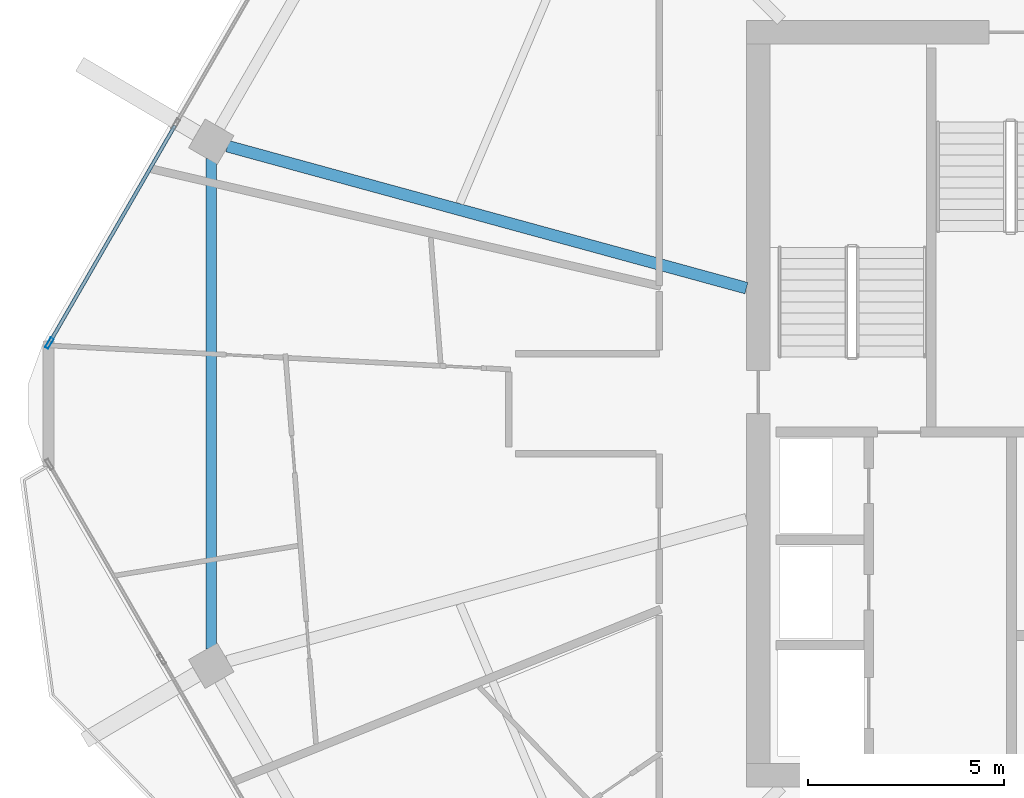
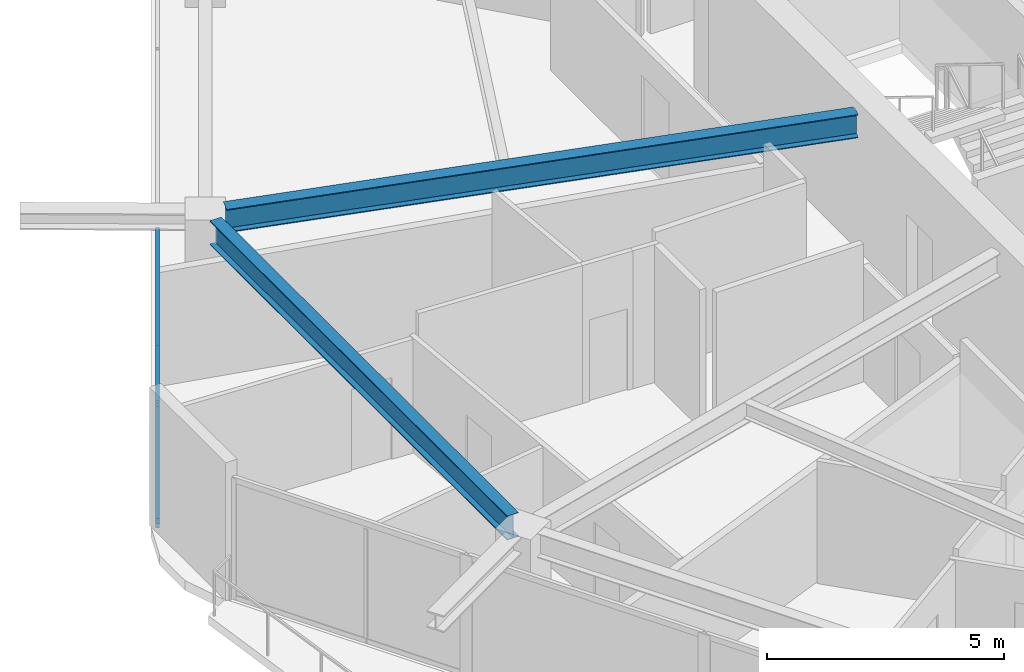
# One storey, part 6 of 26: 3 members, 2 beams, 1 element without a shape of its own.
"""IFC4 building model written with IfcOpenShell, lengths in metres."""

import ifcopenshell
import ifcopenshell.guid

model = None  # the IFC model being written
_history = None  # IfcOwnerHistory: only IFC2X3 demands one
_inside = {}  # id of a spatial element -> (the spatial element, [elements in it])
_under = {}  # id of a project, library or spatial element -> (it, [spatial elements below it])
_declared = {}  # id of a project -> (the project, [libraries it declares])
_typed = {}  # id of a type object -> (the type object, [elements of that type])
_made_of = {}  # id of a material, layer set ... -> (it, [elements and type objects made of it])


def new_model(schema):
    """Start an empty IFC model of exactly this schema.

    Asked for "IFC4X3", IfcOpenShell would pick the latest addendum, in which some entities
    have other attributes; the version numbers below select the first issue.
    IFC2X3 requires an IfcOwnerHistory on every rooted entity: one is made here for all.
    """
    global model, _history
    if schema == "IFC4X3":
        model = ifcopenshell.file(schema_version=(4, 3, 0, 0))
    else:
        model = ifcopenshell.file(schema=schema)
    _inside.clear()
    _under.clear()
    _declared.clear()
    _typed.clear()
    _made_of.clear()
    _history = None
    if model.schema == "IFC2X3":
        org = make("IfcOrganization", Name="unknown")
        user = make(
            "IfcPersonAndOrganization",
            ThePerson=make("IfcPerson", FamilyName="unknown"),
            TheOrganization=org,
        )
        app = make(
            "IfcApplication",
            ApplicationDeveloper=org,
            Version="unknown",
            ApplicationFullName="unknown",
            ApplicationIdentifier="unknown",
        )
        _history = make(
            "IfcOwnerHistory",
            OwningUser=user,
            OwningApplication=app,
            ChangeAction="ADDED",
            CreationDate=0,
        )
    return model


def make(cls, **values):
    """One entity of the class cls with the attributes given. An attribute that is None is left unset."""
    return model.create_entity(
        cls, **{name: value for name, value in values.items() if value is not None}
    )


def rooted(cls, **values):
    """An entity with a GlobalId (a new one), such as an element, a storey or a relation."""
    return make(cls, GlobalId=ifcopenshell.guid.new(), OwnerHistory=_history, **values)


def si_unit(unit_type, name, prefix=None):
    """IfcSIUnit, for example si_unit("LENGTHUNIT", "METRE", prefix="MILLI")."""
    return make("IfcSIUnit", UnitType=unit_type, Prefix=prefix, Name=name)


def assignment(units):
    """IfcUnitAssignment: the units of a project."""
    return None if units is None else make("IfcUnitAssignment", Units=units)


def point(xyz):
    """IfcCartesianPoint."""
    return None if xyz is None else make("IfcCartesianPoint", Coordinates=xyz)


def direction(xyz):
    """IfcDirection."""
    return None if xyz is None else make("IfcDirection", DirectionRatios=xyz)


def frame(location, z_axis=None, x_axis=None):
    """IfcAxis2Placement3D, a coordinate frame: its origin and axes. An axis left out is left unset."""
    return make(
        "IfcAxis2Placement3D",
        Location=point(location),
        Axis=direction(z_axis),
        RefDirection=direction(x_axis),
    )


def frame_2d(location, x_axis=None):
    """IfcAxis2Placement2D, a coordinate frame in the plane: its origin and x axis."""
    return make(
        "IfcAxis2Placement2D", Location=point(location), RefDirection=direction(x_axis)
    )


def origin():
    """The frame at (0, 0, 0) with its axes left unset."""
    return frame((0.0, 0.0, 0.0))


def origin_2d():
    """The frame at (0, 0) in the plane with its x axis left unset."""
    return frame_2d((0.0, 0.0))


def place(relative_to, where):
    """IfcLocalPlacement: puts the frame where relative to a parent placement (None: the world)."""
    return make(
        "IfcLocalPlacement", PlacementRelTo=relative_to, RelativePlacement=where
    )


def context(
    kind, dimensions, precision=None, world=None, true_north=None, identifier=None
):
    """IfcGeometricRepresentationContext, for example the 3D "Model" context."""
    return make(
        "IfcGeometricRepresentationContext",
        ContextIdentifier=identifier,
        ContextType=kind,
        CoordinateSpaceDimension=dimensions,
        Precision=precision,
        WorldCoordinateSystem=world,
        TrueNorth=true_north,
    )


def subcontext(parent, identifier, kind, view, scale=None):
    """IfcGeometricRepresentationSubContext, for example "Body" below "Model"."""
    return make(
        "IfcGeometricRepresentationSubContext",
        ContextIdentifier=identifier,
        ContextType=kind,
        ParentContext=parent,
        TargetScale=scale,
        TargetView=view,
    )


def project(units=None, contexts=None):
    """IfcProject with its units and contexts."""
    return rooted(
        "IfcProject",
        Name="project",
        RepresentationContexts=contexts,
        UnitsInContext=assignment(units),
    )


def spatial(cls, under=None, at=None, **own):
    """A site, building, storey or space (cls), placed at a placement, below another one or the project."""
    s = rooted(cls, ObjectPlacement=at, **own)
    if under is not None:
        _under.setdefault(under.id(), (under, []))[1].append(s)
    return s


def profile(cls, at=None, kind="AREA", **sizes):
    """A parametric profile (cls). Its sizes go by their IFC names, for example OverallWidth=200.0."""
    return make(cls, ProfileType=kind, Position=at, **sizes)


def hollow_rectangle(**sizes):
    """IfcRectangleHollowProfileDef."""
    return profile("IfcRectangleHollowProfileDef", **sizes)


def i_section(**sizes):
    """IfcIShapeProfileDef."""
    return profile("IfcIShapeProfileDef", **sizes)


def extrude(swept, where, along, depth):
    """IfcExtrudedAreaSolid: the profile swept, set in the frame where, extruded along a direction by depth."""
    return make(
        "IfcExtrudedAreaSolid",
        SweptArea=swept,
        Position=where,
        ExtrudedDirection=direction(along),
        Depth=depth,
    )


def shape(context_of_items, identifier, shape_type, items):
    """IfcShapeRepresentation: the items that make up one representation, for example the "Body"."""
    return make(
        "IfcShapeRepresentation",
        ContextOfItems=context_of_items,
        RepresentationIdentifier=identifier,
        RepresentationType=shape_type,
        Items=items,
    )


def material(Name=None, Category=None):
    """IfcMaterial."""
    return make("IfcMaterial", Name=Name, Category=Category)


def material_profile(
    of_material, cross_section, Name=None, Category=None, Priority=None
):
    """IfcMaterialProfile: a cross section and its material."""
    return make(
        "IfcMaterialProfile",
        Name=Name,
        Material=of_material,
        Profile=cross_section,
        Priority=Priority,
        Category=Category,
    )


def profile_set(profiles, Name=None, composite=None):
    """IfcMaterialProfileSet."""
    return make(
        "IfcMaterialProfileSet",
        Name=Name,
        MaterialProfiles=profiles,
        CompositeProfile=composite,
    )


def made_of(thing, what):
    """Note that an element or type object is made of a material, layer set ...; save() writes the relation."""
    if what is not None:
        _made_of.setdefault(what.id(), (what, []))[1].append(thing)
    return thing


def type_object(cls, material=None, **own):
    """A type object (cls), such as IfcWallType, which elements share."""
    return made_of(rooted(cls, **own), material)


def element(
    cls,
    number,
    at=None,
    inside=None,
    cuts=None,
    type_object=None,
    material=None,
    context=None,
    identifier="Body",
    shape_type=None,
    held_by="IfcProductDefinitionShape",
    body=None,
    shapes=None,
    **own,
):
    """One element of the class cls, such as IfcWall. Its Tag is "e" and its number.

    at: its placement. inside: the storey or other place that contains it. cuts: it is an
    opening in that element (IfcRelVoidsElement). A single representation is given by context,
    identifier, shape_type and body (its items); several are given by shapes. held_by: the class
    of the entity that holds the representations. save() writes the other relations.
    """
    e = rooted(cls, Tag="e%d" % number, ObjectPlacement=at, **own)
    if body is not None:
        shapes = [shape(context, identifier, shape_type, body)]
    if shapes is not None:
        e.Representation = make(held_by, Representations=shapes)
    if inside is not None:
        _inside.setdefault(inside.id(), (inside, []))[1].append(e)
    if cuts is not None:
        rooted(
            "IfcRelVoidsElement", RelatingBuildingElement=cuts, RelatedOpeningElement=e
        )
    if type_object is not None:
        _typed.setdefault(type_object.id(), (type_object, []))[1].append(e)
    return made_of(e, material)


def aggregate(whole, parts):
    """IfcRelAggregates: a whole, such as a stair, and the parts it consists of."""
    return rooted("IfcRelAggregates", RelatingObject=whole, RelatedObjects=parts)


def save(model, path):
    """Write the relations noted so far, then the file.

    IfcRelAggregates (storeys below a building ...), IfcRelContainedInSpatialStructure (elements
    in a storey), IfcRelDefinesByType, IfcRelAssociatesMaterial and IfcRelDeclares: one each for
    every whole, place, type object, material and project.
    """
    for whole, parts in _under.values():
        aggregate(whole, parts)
    for where, things in _inside.values():
        rooted(
            "IfcRelContainedInSpatialStructure",
            RelatedElements=things,
            RelatingStructure=where,
        )
    for kind, things in _typed.values():
        rooted("IfcRelDefinesByType", RelatedObjects=things, RelatingType=kind)
    for what, things in _made_of.values():
        rooted("IfcRelAssociatesMaterial", RelatedObjects=things, RelatingMaterial=what)
    for by, libraries in _declared.values():
        rooted("IfcRelDeclares", RelatingContext=by, RelatedDefinitions=libraries)
    model.write(path)


model = new_model("IFC4")

# Units and contexts
model_context = context("Model", 3, precision=1e-05, world=origin(), true_north=direction((0.0, 1.0)))
body_context = subcontext(model_context, "Body", "Model", "MODEL_VIEW")
ifc_project = project(units=[si_unit("LENGTHUNIT", "METRE"), si_unit("AREAUNIT", "SQUARE_METRE"), si_unit("VOLUMEUNIT", "CUBIC_METRE"), si_unit("PLANEANGLEUNIT", "RADIAN"), si_unit("MASSUNIT", "GRAM", prefix="KILO")], contexts=[model_context])

# Site, building, storey
site_placement = place(None, origin())
site = spatial("IfcSite", under=ifc_project, at=site_placement, CompositionType="ELEMENT")
building_placement = place(site_placement, origin())
building = spatial("IfcBuilding", under=site, at=building_placement, Name="Zuhravey Tower", CompositionType="ELEMENT")
storey_placement = place(building_placement, frame((0.0, 0.0, 295.800048828125)))
storey = spatial("IfcBuildingStorey", under=building, at=storey_placement, Name="L75", CompositionType="ELEMENT", Elevation=295.800048828125)

# Curtain wall, members
ifc_material_1 = material(Name="Thermally broken anodised aluminium", Category="aluminium")
curtain_wall_type = type_object("IfcCurtainWallType", Name="Zone 3-4 High-Rise Curtain Wall CW4", PredefinedType="NOTDEFINED", material=ifc_material_1)
curtain_wall_placement = place(storey_placement, origin())
curtain_wall = element("IfcCurtainWall", 1, at=curtain_wall_placement, inside=storey, type_object=curtain_wall_type, Name="L75 CW4 CW-L75-F3-1", PredefinedType="NOTDEFINED")
ifc_material_2 = material(Name="Anodised aluminium", Category="aluminium")
ifc_material_profile_1 = material_profile(ifc_material_2, hollow_rectangle(XDim=0.090087890625, YDim=0.284912109375, WallThickness=0.0048828125, at=origin_2d()), Name="ALU-RHS-90x285x5")
ifc_profile_set_1 = profile_set([ifc_material_profile_1], Name="Anodised aluminium")
member_type_1 = type_object("IfcMemberType", Name="Curtain-Wall Mullion 90x180", PredefinedType="MULLION", material=ifc_profile_set_1)
member_1_placement = place(storey_placement, frame((7.37744140625, 33.551513671875, 0.0), z_axis=(0.0, 0.0, 1.0), x_axis=(-0.866024851021, 0.500000957414, 0.0)))
member_1 = element("IfcMember", 2, at=member_1_placement, type_object=member_type_1, Name="CW4 mullion 1", PredefinedType="MULLION", context=body_context, shape_type="SweptSolid", body=[
    extrude(hollow_rectangle(XDim=0.090087890625, YDim=0.284912109375, WallThickness=0.0048828125, at=origin_2d()), origin(), (0.0, 0.0, 1.0), 3.1220703125),
])
ifc_material_profile_2 = material_profile(ifc_material_2, hollow_rectangle(XDim=0.090087890625, YDim=0.14990234375, WallThickness=0.0048828125, at=origin_2d()), Name="ALU-RHS-90x150x5")
ifc_profile_set_2 = profile_set([ifc_material_profile_2], Name="Anodised aluminium")
member_type_2 = type_object("IfcMemberType", Name="Curtain-Wall Transom 90x150", PredefinedType="USERDEFINED", material=ifc_profile_set_2)
member_2_placement = place(storey_placement, frame((7.39990234375, 33.59033203125, 0.044921875), z_axis=(0.500008810174, 0.866020317169, 0.0), x_axis=(-0.866020317169, 0.500008810174, 0.0)))
member_2 = element("IfcMember", 3, at=member_2_placement, type_object=member_type_2, Name="CW4 transom 1.1", ObjectType="TRANSOM", PredefinedType="USERDEFINED", context=body_context, shape_type="SweptSolid", body=[
    extrude(hollow_rectangle(XDim=0.090087890625, YDim=0.14990234375, WallThickness=0.0048828125, at=origin_2d()), origin(), (0.0, 0.0, 1.0), 6.37158203125),
])
member_3_placement = place(storey_placement, frame((7.39990234375, 33.59033203125, 3.076904296875), z_axis=(0.500008810174, 0.866020317169, 0.0), x_axis=(-0.866020317169, 0.500008810174, 0.0)))
member_3 = element("IfcMember", 4, at=member_3_placement, type_object=member_type_2, Name="CW4 transom 1.2", ObjectType="TRANSOM", PredefinedType="USERDEFINED", context=body_context, shape_type="SweptSolid", body=[
    extrude(hollow_rectangle(XDim=0.090087890625, YDim=0.14990234375, WallThickness=0.0048828125, at=origin_2d()), origin(), (0.0, 0.0, 1.0), 6.37158203125),
])
aggregate(curtain_wall, [member_1, member_2, member_3])

# Beams
ifc_material_3 = material(Name="Steel SM355", Category="steel")
ifc_material_profile_3 = material_profile(ifc_material_3, i_section(OverallWidth=0.280029296875, OverallDepth=0.6201171875, WebThickness=0.011962890625, FlangeThickness=0.02001953125, at=origin_2d()), Name="H-620x280x12x20")
ifc_profile_set_3 = profile_set([ifc_material_profile_3], Name="Steel SM355")
beam_type_1 = type_object("IfcBeamType", Name="Perimeter Ring Beam H620x280", PredefinedType="BEAM", material=ifc_profile_set_3)
beam_1_placement = place(storey_placement, frame((11.515380859375, 38.27099609375, 3.239990234375), z_axis=(0.0, -1.0, 0.0), x_axis=(1.0, 0.0, 0.0)))
element("IfcBeam", 5, at=beam_1_placement, inside=storey, type_object=beam_type_1, Name="L75 PB3 BM-L75-PB-06", PredefinedType="BEAM", context=body_context, shape_type="SweptSolid", body=[
    extrude(i_section(OverallWidth=0.280029296875, OverallDepth=0.6201171875, WebThickness=0.011962890625, FlangeThickness=0.02001953125, at=origin_2d()), origin(), (0.0, 0.0, 1.0), 12.5419921875),
])
ifc_material_profile_4 = material_profile(ifc_material_3, i_section(OverallWidth=0.300048828125, OverallDepth=0.60009765625, WebThickness=0.011962890625, FlangeThickness=0.02001953125, at=origin_2d()), Name="H-600x300x12x20")
ifc_profile_set_4 = profile_set([ifc_material_profile_4], Name="Steel SM355")
beam_type_2 = type_object("IfcBeamType", Name="Radial Primary Girder H600x300", PredefinedType="BEAM", material=ifc_profile_set_4)
beam_2_placement = place(storey_placement, frame((25.197021484375, 34.95556640625, 3.25), z_axis=(-0.964549305009, 0.263902705947, 0.0), x_axis=(-0.263902705947, -0.964549305009, 0.0)))
element("IfcBeam", 6, at=beam_2_placement, inside=storey, type_object=beam_type_2, Name="L75 RG3 BM-L75-RAD-06", PredefinedType="BEAM", context=body_context, shape_type="SweptSolid", body=[
    extrude(i_section(OverallWidth=0.300048828125, OverallDepth=0.60009765625, WebThickness=0.011962890625, FlangeThickness=0.02001953125, at=origin_2d()), origin(), (0.0, 0.0, 1.0), 13.756591796875),
])

save(model, "model.ifc")
